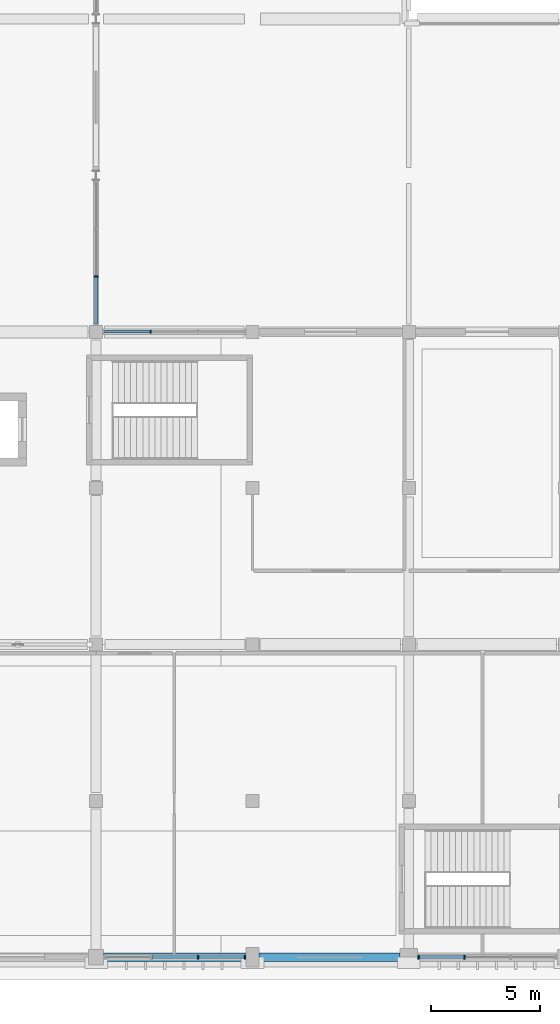
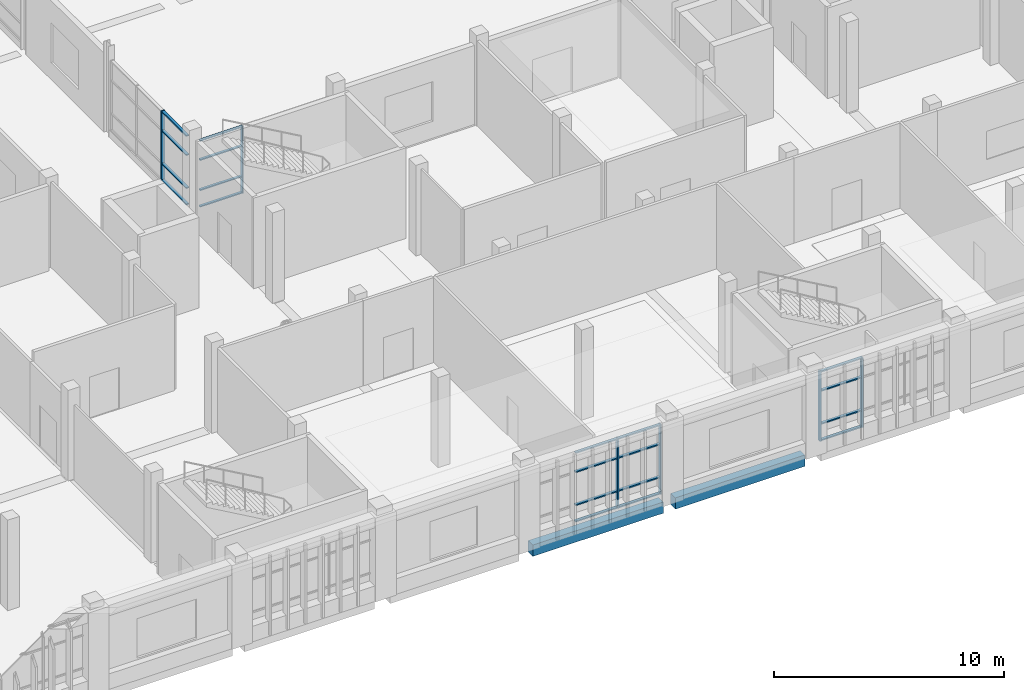
# One storey, part 19 of 82: 26 members, 2 beams, 4 elements without a shape of their own.
"""IFC4 building model written with IfcOpenShell, lengths in metres."""

import ifcopenshell
import ifcopenshell.guid

model = None  # the IFC model being written
_history = None  # IfcOwnerHistory: only IFC2X3 demands one
_inside = {}  # id of a spatial element -> (the spatial element, [elements in it])
_under = {}  # id of a project, library or spatial element -> (it, [spatial elements below it])
_declared = {}  # id of a project -> (the project, [libraries it declares])
_typed = {}  # id of a type object -> (the type object, [elements of that type])
_made_of = {}  # id of a material, layer set ... -> (it, [elements and type objects made of it])


def new_model(schema):
    """Start an empty IFC model of exactly this schema.

    Asked for "IFC4X3", IfcOpenShell would pick the latest addendum, in which some entities
    have other attributes; the version numbers below select the first issue.
    IFC2X3 requires an IfcOwnerHistory on every rooted entity: one is made here for all.
    """
    global model, _history
    if schema == "IFC4X3":
        model = ifcopenshell.file(schema_version=(4, 3, 0, 0))
    else:
        model = ifcopenshell.file(schema=schema)
    _inside.clear()
    _under.clear()
    _declared.clear()
    _typed.clear()
    _made_of.clear()
    _history = None
    if model.schema == "IFC2X3":
        org = make("IfcOrganization", Name="unknown")
        user = make(
            "IfcPersonAndOrganization",
            ThePerson=make("IfcPerson", FamilyName="unknown"),
            TheOrganization=org,
        )
        app = make(
            "IfcApplication",
            ApplicationDeveloper=org,
            Version="unknown",
            ApplicationFullName="unknown",
            ApplicationIdentifier="unknown",
        )
        _history = make(
            "IfcOwnerHistory",
            OwningUser=user,
            OwningApplication=app,
            ChangeAction="ADDED",
            CreationDate=0,
        )
    return model


def make(cls, **values):
    """One entity of the class cls with the attributes given. An attribute that is None is left unset."""
    return model.create_entity(
        cls, **{name: value for name, value in values.items() if value is not None}
    )


def rooted(cls, **values):
    """An entity with a GlobalId (a new one), such as an element, a storey or a relation."""
    return make(cls, GlobalId=ifcopenshell.guid.new(), OwnerHistory=_history, **values)


def si_unit(unit_type, name, prefix=None):
    """IfcSIUnit, for example si_unit("LENGTHUNIT", "METRE", prefix="MILLI")."""
    return make("IfcSIUnit", UnitType=unit_type, Prefix=prefix, Name=name)


def assignment(units):
    """IfcUnitAssignment: the units of a project."""
    return None if units is None else make("IfcUnitAssignment", Units=units)


def point(xyz):
    """IfcCartesianPoint."""
    return None if xyz is None else make("IfcCartesianPoint", Coordinates=xyz)


def direction(xyz):
    """IfcDirection."""
    return None if xyz is None else make("IfcDirection", DirectionRatios=xyz)


def frame(location, z_axis=None, x_axis=None):
    """IfcAxis2Placement3D, a coordinate frame: its origin and axes. An axis left out is left unset."""
    return make(
        "IfcAxis2Placement3D",
        Location=point(location),
        Axis=direction(z_axis),
        RefDirection=direction(x_axis),
    )


def frame_2d(location, x_axis=None):
    """IfcAxis2Placement2D, a coordinate frame in the plane: its origin and x axis."""
    return make(
        "IfcAxis2Placement2D", Location=point(location), RefDirection=direction(x_axis)
    )


def origin():
    """The frame at (0, 0, 0) with its axes left unset."""
    return frame((0.0, 0.0, 0.0))


def origin_2d():
    """The frame at (0, 0) in the plane with its x axis left unset."""
    return frame_2d((0.0, 0.0))


def place(relative_to, where):
    """IfcLocalPlacement: puts the frame where relative to a parent placement (None: the world)."""
    return make(
        "IfcLocalPlacement", PlacementRelTo=relative_to, RelativePlacement=where
    )


def context(
    kind, dimensions, precision=None, world=None, true_north=None, identifier=None
):
    """IfcGeometricRepresentationContext, for example the 3D "Model" context."""
    return make(
        "IfcGeometricRepresentationContext",
        ContextIdentifier=identifier,
        ContextType=kind,
        CoordinateSpaceDimension=dimensions,
        Precision=precision,
        WorldCoordinateSystem=world,
        TrueNorth=true_north,
    )


def subcontext(parent, identifier, kind, view, scale=None):
    """IfcGeometricRepresentationSubContext, for example "Body" below "Model"."""
    return make(
        "IfcGeometricRepresentationSubContext",
        ContextIdentifier=identifier,
        ContextType=kind,
        ParentContext=parent,
        TargetScale=scale,
        TargetView=view,
    )


def project(units=None, contexts=None):
    """IfcProject with its units and contexts."""
    return rooted(
        "IfcProject",
        Name="project",
        RepresentationContexts=contexts,
        UnitsInContext=assignment(units),
    )


def spatial(cls, under=None, at=None, **own):
    """A site, building, storey or space (cls), placed at a placement, below another one or the project."""
    s = rooted(cls, ObjectPlacement=at, **own)
    if under is not None:
        _under.setdefault(under.id(), (under, []))[1].append(s)
    return s


def profile(cls, at=None, kind="AREA", **sizes):
    """A parametric profile (cls). Its sizes go by their IFC names, for example OverallWidth=200.0."""
    return make(cls, ProfileType=kind, Position=at, **sizes)


def rectangle(**sizes):
    """IfcRectangleProfileDef."""
    return profile("IfcRectangleProfileDef", **sizes)


def extrude(swept, where, along, depth):
    """IfcExtrudedAreaSolid: the profile swept, set in the frame where, extruded along a direction by depth."""
    return make(
        "IfcExtrudedAreaSolid",
        SweptArea=swept,
        Position=where,
        ExtrudedDirection=direction(along),
        Depth=depth,
    )


def shape(context_of_items, identifier, shape_type, items):
    """IfcShapeRepresentation: the items that make up one representation, for example the "Body"."""
    return make(
        "IfcShapeRepresentation",
        ContextOfItems=context_of_items,
        RepresentationIdentifier=identifier,
        RepresentationType=shape_type,
        Items=items,
    )


def material(Name=None, Category=None):
    """IfcMaterial."""
    return make("IfcMaterial", Name=Name, Category=Category)


def material_profile(
    of_material, cross_section, Name=None, Category=None, Priority=None
):
    """IfcMaterialProfile: a cross section and its material."""
    return make(
        "IfcMaterialProfile",
        Name=Name,
        Material=of_material,
        Profile=cross_section,
        Priority=Priority,
        Category=Category,
    )


def profile_set(profiles, Name=None, composite=None):
    """IfcMaterialProfileSet."""
    return make(
        "IfcMaterialProfileSet",
        Name=Name,
        MaterialProfiles=profiles,
        CompositeProfile=composite,
    )


def made_of(thing, what):
    """Note that an element or type object is made of a material, layer set ...; save() writes the relation."""
    if what is not None:
        _made_of.setdefault(what.id(), (what, []))[1].append(thing)
    return thing


def type_object(cls, material=None, **own):
    """A type object (cls), such as IfcWallType, which elements share."""
    return made_of(rooted(cls, **own), material)


def element(
    cls,
    number,
    at=None,
    inside=None,
    cuts=None,
    type_object=None,
    material=None,
    context=None,
    identifier="Body",
    shape_type=None,
    held_by="IfcProductDefinitionShape",
    body=None,
    shapes=None,
    **own,
):
    """One element of the class cls, such as IfcWall. Its Tag is "e" and its number.

    at: its placement. inside: the storey or other place that contains it. cuts: it is an
    opening in that element (IfcRelVoidsElement). A single representation is given by context,
    identifier, shape_type and body (its items); several are given by shapes. held_by: the class
    of the entity that holds the representations. save() writes the other relations.
    """
    e = rooted(cls, Tag="e%d" % number, ObjectPlacement=at, **own)
    if body is not None:
        shapes = [shape(context, identifier, shape_type, body)]
    if shapes is not None:
        e.Representation = make(held_by, Representations=shapes)
    if inside is not None:
        _inside.setdefault(inside.id(), (inside, []))[1].append(e)
    if cuts is not None:
        rooted(
            "IfcRelVoidsElement", RelatingBuildingElement=cuts, RelatedOpeningElement=e
        )
    if type_object is not None:
        _typed.setdefault(type_object.id(), (type_object, []))[1].append(e)
    return made_of(e, material)


def aggregate(whole, parts):
    """IfcRelAggregates: a whole, such as a stair, and the parts it consists of."""
    return rooted("IfcRelAggregates", RelatingObject=whole, RelatedObjects=parts)


def save(model, path):
    """Write the relations noted so far, then the file.

    IfcRelAggregates (storeys below a building ...), IfcRelContainedInSpatialStructure (elements
    in a storey), IfcRelDefinesByType, IfcRelAssociatesMaterial and IfcRelDeclares: one each for
    every whole, place, type object, material and project.
    """
    for whole, parts in _under.values():
        aggregate(whole, parts)
    for where, things in _inside.values():
        rooted(
            "IfcRelContainedInSpatialStructure",
            RelatedElements=things,
            RelatingStructure=where,
        )
    for kind, things in _typed.values():
        rooted("IfcRelDefinesByType", RelatedObjects=things, RelatingType=kind)
    for what, things in _made_of.values():
        rooted("IfcRelAssociatesMaterial", RelatedObjects=things, RelatingMaterial=what)
    for by, libraries in _declared.values():
        rooted("IfcRelDeclares", RelatingContext=by, RelatedDefinitions=libraries)
    model.write(path)


model = new_model("IFC4")

# Units and contexts
model_context = context("Model", 3, precision=1e-05, world=origin(), true_north=direction((0.0, 1.0)))
body_context = subcontext(model_context, "Body", "Model", "MODEL_VIEW")
ifc_project = project(units=[si_unit("LENGTHUNIT", "METRE"), si_unit("AREAUNIT", "SQUARE_METRE"), si_unit("VOLUMEUNIT", "CUBIC_METRE"), si_unit("PLANEANGLEUNIT", "RADIAN"), si_unit("MASSUNIT", "GRAM", prefix="KILO")], contexts=[model_context])

# Site, building, storey
site_placement = place(None, origin())
site = spatial("IfcSite", under=ifc_project, at=site_placement, CompositionType="ELEMENT")
building_placement = place(site_placement, origin())
building = spatial("IfcBuilding", under=site, at=building_placement, Name="Sardonyx Promenade Sports Hall", CompositionType="ELEMENT")
storey_placement = place(building_placement, frame((0.0, 0.0, 11.199951171875)))
storey = spatial("IfcBuildingStorey", under=building, at=storey_placement, Name="L02", CompositionType="ELEMENT", Elevation=11.199951171875)

# Beams
ifc_material_1 = material(Name="Concrete C40/50", Category="concrete")
ifc_material_profile_1 = material_profile(ifc_material_1, rectangle(XDim=0.39990234375, YDim=0.60009765625, at=origin_2d()))
ifc_profile_set_1 = profile_set([ifc_material_profile_1], Name="Concrete C40/50")
beam_type = type_object("IfcBeamType", Name="Bm_Spandrel_RC600", PredefinedType="SPANDREL", material=ifc_profile_set_1)
beam_1_placement = place(storey_placement, frame((29.14990234375, 0.0, -0.300048828125), z_axis=(1.0, 0.0, 0.0), x_axis=(0.0, 1.0, 0.0)))
element("IfcBeam", 1, at=beam_1_placement, inside=storey, type_object=beam_type, Name="Beam SPB1 L02 #451", PredefinedType="SPANDREL", context=body_context, shape_type="SweptSolid", body=[
    extrude(rectangle(XDim=0.39990234375, YDim=0.60009765625, at=origin_2d()), origin(), (0.0, 0.0, 1.0), 6.550048828125),
])
beam_2_placement = place(storey_placement, frame((36.300048828125, 0.0, -0.300048828125), z_axis=(1.0, 0.0, 0.0), x_axis=(0.0, 1.0, 0.0)))
element("IfcBeam", 2, at=beam_2_placement, inside=storey, type_object=beam_type, Name="Beam SPB1 L02 #452", PredefinedType="SPANDREL", context=body_context, shape_type="SweptSolid", body=[
    extrude(rectangle(XDim=0.39990234375, YDim=0.60009765625, at=origin_2d()), origin(), (0.0, 0.0, 1.0), 6.5),
])

# Curtain wall, member
ifc_material_2 = material(Name="Aluminium 6063-T6", Category="aluminium")
curtain_wall_type_1 = type_object("IfcCurtainWallType", Name="CW_EastWing_L02", PredefinedType="USERDEFINED", material=ifc_material_2)
curtain_wall_1_placement = place(storey_placement, origin())
curtain_wall_1 = element("IfcCurtainWall", 3, at=curtain_wall_1_placement, inside=storey, type_object=curtain_wall_type_1, Name="Curtain wall CW09 cw:L02:158", ObjectType="CURTAIN WALL", PredefinedType="USERDEFINED")
ifc_material_3 = material(Name="Aluminium 6063-T6", Category="aluminium")
ifc_material_profile_2 = material_profile(ifc_material_3, rectangle(XDim=0.06005859375, YDim=0.14990234375, at=origin_2d()))
ifc_profile_set_2 = profile_set([ifc_material_profile_2], Name="Aluminium 6063-T6")
member_type_1 = type_object("IfcMemberType", Name="CW_Mull_150", PredefinedType="MULLION", material=ifc_profile_set_2)
member_1_placement = place(storey_placement, frame((31.316650390625, 28.800048828125, 0.35009765625), z_axis=(0.0, 0.0, 1.0), x_axis=(1.0, 0.0, 0.0)))
member_1 = element("IfcMember", 4, at=member_1_placement, type_object=member_type_1, Name="Mullion CM01 cw:L02:158 #2", PredefinedType="MULLION", context=body_context, shape_type="SweptSolid", body=[
    extrude(rectangle(XDim=0.06005859375, YDim=0.14990234375, at=origin_2d()), origin(), (0.0, 0.0, 1.0), 3.550048828125),
])

# Curtain wall, members
ifc_material_4 = material(Name="Aluminium 6063-T6", Category="aluminium")
curtain_wall_type_2 = type_object("IfcCurtainWallType", Name="CW_South_L02_640", PredefinedType="USERDEFINED", material=ifc_material_4)
curtain_wall_2_placement = place(storey_placement, origin())
curtain_wall_2 = element("IfcCurtainWall", 5, at=curtain_wall_2_placement, inside=storey, type_object=curtain_wall_type_2, Name="Curtain wall CW01 cw:L02:037", ObjectType="CURTAIN WALL", PredefinedType="USERDEFINED")
ifc_material_5 = material(Name="Aluminium 6063-T6", Category="aluminium")
ifc_material_profile_3 = material_profile(ifc_material_5, rectangle(XDim=0.06494140625, YDim=0.175048828125, at=origin_2d()))
ifc_profile_set_3 = profile_set([ifc_material_profile_3], Name="Aluminium 6063-T6")
member_type_2 = type_object("IfcMemberType", Name="CW_Mull_175", PredefinedType="MULLION", material=ifc_profile_set_3)
member_2_placement = place(storey_placement, frame((45.767578125, 0.0, 0.35009765625), z_axis=(0.0, 0.0, 1.0), x_axis=(-1.0, 0.0, 0.0)))
member_2 = element("IfcMember", 6, at=member_2_placement, type_object=member_type_2, Name="Mullion CM02 cw:L02:037 #3", PredefinedType="MULLION", context=body_context, shape_type="SweptSolid", body=[
    extrude(rectangle(XDim=0.06494140625, YDim=0.175048828125, at=origin_2d()), origin(), (0.0, 0.0, 1.0), 3.699951171875),
])
member_3_placement = place(storey_placement, frame((43.652587890625, 0.0, 0.35009765625), z_axis=(0.0, 0.0, 1.0), x_axis=(-1.0, 0.0, 0.0)))
member_3 = element("IfcMember", 7, at=member_3_placement, type_object=member_type_2, Name="Mullion CM02 cw:L02:037 #4", PredefinedType="MULLION", context=body_context, shape_type="SweptSolid", body=[
    extrude(rectangle(XDim=0.06494140625, YDim=0.175048828125, at=origin_2d()), origin(), (0.0, 0.0, 1.0), 3.699951171875),
])

curtain_wall_3_placement = place(storey_placement, origin())
curtain_wall_3 = element("IfcCurtainWall", 8, at=curtain_wall_3_placement, inside=storey, type_object=curtain_wall_type_2, Name="Curtain wall CW01 cw:L02:038", ObjectType="CURTAIN WALL", PredefinedType="USERDEFINED")
member_4_placement = place(storey_placement, frame((35.6474609375, 0.0, 0.35009765625), z_axis=(0.0, 0.0, 1.0), x_axis=(-1.0, 0.0, 0.0)))
member_4 = element("IfcMember", 9, at=member_4_placement, type_object=member_type_2, Name="Mullion CM02 cw:L02:038 #1", PredefinedType="MULLION", context=body_context, shape_type="SweptSolid", body=[
    extrude(rectangle(XDim=0.06494140625, YDim=0.175048828125, at=origin_2d()), origin(), (0.0, 0.0, 1.0), 3.699951171875),
])
member_5_placement = place(storey_placement, frame((33.499267578125, 0.0, 0.35009765625), z_axis=(0.0, 0.0, 1.0), x_axis=(-1.0, 0.0, 0.0)))
member_5 = element("IfcMember", 10, at=member_5_placement, type_object=member_type_2, Name="Mullion CM02 cw:L02:038 #2", PredefinedType="MULLION", context=body_context, shape_type="SweptSolid", body=[
    extrude(rectangle(XDim=0.06494140625, YDim=0.175048828125, at=origin_2d()), origin(), (0.0, 0.0, 1.0), 3.699951171875),
])

# Curtain wall, member
curtain_wall_4_placement = place(storey_placement, origin())
curtain_wall_4 = element("IfcCurtainWall", 11, at=curtain_wall_4_placement, inside=storey, type_object=curtain_wall_type_2, Name="Curtain wall CW01 cw:L02:154", ObjectType="CURTAIN WALL", PredefinedType="USERDEFINED")
member_6_placement = place(storey_placement, frame((28.800048828125, 31.34423828125, 0.35009765625), z_axis=(0.0, 0.0, 1.0), x_axis=(0.0, -1.0, 0.0)))
member_6 = element("IfcMember", 12, at=member_6_placement, type_object=member_type_2, Name="Mullion CM02 cw:L02:154 #3", PredefinedType="MULLION", context=body_context, shape_type="SweptSolid", body=[
    extrude(rectangle(XDim=0.06494140625, YDim=0.175048828125, at=origin_2d()), origin(), (0.0, 0.0, 1.0), 3.699951171875),
])

# Member
ifc_material_6 = material(Name="Aluminium 6063-T6", Category="aluminium")
ifc_material_profile_4 = material_profile(ifc_material_6, rectangle(XDim=0.06005859375, YDim=0.1201171875, at=origin_2d()))
ifc_profile_set_4 = profile_set([ifc_material_profile_4], Name="Aluminium 6063-T6")
member_type_3 = type_object("IfcMemberType", Name="CW_Tran_120", PredefinedType="USERDEFINED", material=ifc_profile_set_4)
member_7_placement = place(storey_placement, frame((29.179931640625, 28.800048828125, 0.380126953125), z_axis=(1.0, 0.0, 0.0), x_axis=(0.0, 0.0, 1.0)))
member_7 = element("IfcMember", 13, at=member_7_placement, type_object=member_type_3, Name="Transom CT01 cw:L02:158 #1", ObjectType="TRANSOM", PredefinedType="USERDEFINED", context=body_context, shape_type="SweptSolid", body=[
    extrude(rectangle(XDim=0.06005859375, YDim=0.1201171875, at=origin_2d()), origin(), (0.0, 0.0, 1.0), 2.106689453125),
])

member_8_placement = place(storey_placement, frame((29.179931640625, 28.800048828125, 1.25), z_axis=(1.0, 0.0, 0.0), x_axis=(0.0, 0.0, 1.0)))
member_8 = element("IfcMember", 14, at=member_8_placement, type_object=member_type_3, Name="Transom CT01 cw:L02:158 #2", ObjectType="TRANSOM", PredefinedType="USERDEFINED", context=body_context, shape_type="SweptSolid", body=[
    extrude(rectangle(XDim=0.06005859375, YDim=0.1201171875, at=origin_2d()), origin(), (0.0, 0.0, 1.0), 2.106689453125),
])

member_9_placement = place(storey_placement, frame((29.179931640625, 28.800048828125, 2.85009765625), z_axis=(1.0, 0.0, 0.0), x_axis=(0.0, 0.0, 1.0)))
member_9 = element("IfcMember", 15, at=member_9_placement, type_object=member_type_3, Name="Transom CT01 cw:L02:158 #3", ObjectType="TRANSOM", PredefinedType="USERDEFINED", context=body_context, shape_type="SweptSolid", body=[
    extrude(rectangle(XDim=0.06005859375, YDim=0.1201171875, at=origin_2d()), origin(), (0.0, 0.0, 1.0), 2.106689453125),
])

member_10_placement = place(storey_placement, frame((29.179931640625, 28.800048828125, 3.8701171875), z_axis=(1.0, 0.0, 0.0), x_axis=(0.0, 0.0, 1.0)))
member_10 = element("IfcMember", 16, at=member_10_placement, type_object=member_type_3, Name="Transom CT01 cw:L02:158 #4", ObjectType="TRANSOM", PredefinedType="USERDEFINED", context=body_context, shape_type="SweptSolid", body=[
    extrude(rectangle(XDim=0.06005859375, YDim=0.1201171875, at=origin_2d()), origin(), (0.0, 0.0, 1.0), 2.106689453125),
])

aggregate(curtain_wall_1, [member_1, member_7, member_8, member_9, member_10])

ifc_material_7 = material(Name="Aluminium 6063-T6", Category="aluminium")
ifc_material_profile_5 = material_profile(ifc_material_7, rectangle(XDim=0.06494140625, YDim=0.139892578125, at=origin_2d()))
ifc_profile_set_5 = profile_set([ifc_material_profile_5], Name="Aluminium 6063-T6")
member_type_4 = type_object("IfcMemberType", Name="CW_Tran_140", PredefinedType="USERDEFINED", material=ifc_profile_set_5)
member_11_placement = place(storey_placement, frame((45.735107421875, 0.0, 0.382568359375), z_axis=(-1.0, 0.0, 0.0), x_axis=(0.0, 0.0, 1.0)))
member_11 = element("IfcMember", 17, at=member_11_placement, type_object=member_type_4, Name="Transom CT02 cw:L02:037 #9", ObjectType="TRANSOM", PredefinedType="USERDEFINED", context=body_context, shape_type="SweptSolid", body=[
    extrude(rectangle(XDim=0.06494140625, YDim=0.139892578125, at=origin_2d()), origin(), (0.0, 0.0, 1.0), 2.050048828125),
])

member_12_placement = place(storey_placement, frame((45.735107421875, 0.0, 1.25), z_axis=(-1.0, 0.0, 0.0), x_axis=(0.0, 0.0, 1.0)))
member_12 = element("IfcMember", 18, at=member_12_placement, type_object=member_type_4, Name="Transom CT02 cw:L02:037 #10", ObjectType="TRANSOM", PredefinedType="USERDEFINED", context=body_context, shape_type="SweptSolid", body=[
    extrude(rectangle(XDim=0.06494140625, YDim=0.139892578125, at=origin_2d()), origin(), (0.0, 0.0, 1.0), 2.050048828125),
])

member_13_placement = place(storey_placement, frame((45.735107421875, 0.0, 3.0), z_axis=(-1.0, 0.0, 0.0), x_axis=(0.0, 0.0, 1.0)))
member_13 = element("IfcMember", 19, at=member_13_placement, type_object=member_type_4, Name="Transom CT02 cw:L02:037 #11", ObjectType="TRANSOM", PredefinedType="USERDEFINED", context=body_context, shape_type="SweptSolid", body=[
    extrude(rectangle(XDim=0.06494140625, YDim=0.139892578125, at=origin_2d()), origin(), (0.0, 0.0, 1.0), 2.050048828125),
])

member_14_placement = place(storey_placement, frame((45.735107421875, 0.0, 4.017578125), z_axis=(-1.0, 0.0, 0.0), x_axis=(0.0, 0.0, 1.0)))
member_14 = element("IfcMember", 20, at=member_14_placement, type_object=member_type_4, Name="Transom CT02 cw:L02:037 #12", ObjectType="TRANSOM", PredefinedType="USERDEFINED", context=body_context, shape_type="SweptSolid", body=[
    extrude(rectangle(XDim=0.06494140625, YDim=0.139892578125, at=origin_2d()), origin(), (0.0, 0.0, 1.0), 2.050048828125),
])

aggregate(curtain_wall_2, [member_2, member_3, member_11, member_12, member_13, member_14])

member_15_placement = place(storey_placement, frame((35.614990234375, 0.0, 0.382568359375), z_axis=(-1.0, 0.0, 0.0), x_axis=(0.0, 0.0, 1.0)))
member_15 = element("IfcMember", 21, at=member_15_placement, type_object=member_type_4, Name="Transom CT02 cw:L02:038 #1", ObjectType="TRANSOM", PredefinedType="USERDEFINED", context=body_context, shape_type="SweptSolid", body=[
    extrude(rectangle(XDim=0.06494140625, YDim=0.139892578125, at=origin_2d()), origin(), (0.0, 0.0, 1.0), 2.083251953125),
])

member_16_placement = place(storey_placement, frame((35.614990234375, 0.0, 1.25), z_axis=(-1.0, 0.0, 0.0), x_axis=(0.0, 0.0, 1.0)))
member_16 = element("IfcMember", 22, at=member_16_placement, type_object=member_type_4, Name="Transom CT02 cw:L02:038 #2", ObjectType="TRANSOM", PredefinedType="USERDEFINED", context=body_context, shape_type="SweptSolid", body=[
    extrude(rectangle(XDim=0.06494140625, YDim=0.139892578125, at=origin_2d()), origin(), (0.0, 0.0, 1.0), 2.083251953125),
])

member_17_placement = place(storey_placement, frame((35.614990234375, 0.0, 3.0), z_axis=(-1.0, 0.0, 0.0), x_axis=(0.0, 0.0, 1.0)))
member_17 = element("IfcMember", 23, at=member_17_placement, type_object=member_type_4, Name="Transom CT02 cw:L02:038 #3", ObjectType="TRANSOM", PredefinedType="USERDEFINED", context=body_context, shape_type="SweptSolid", body=[
    extrude(rectangle(XDim=0.06494140625, YDim=0.139892578125, at=origin_2d()), origin(), (0.0, 0.0, 1.0), 2.083251953125),
])

member_18_placement = place(storey_placement, frame((35.614990234375, 0.0, 4.017578125), z_axis=(-1.0, 0.0, 0.0), x_axis=(0.0, 0.0, 1.0)))
member_18 = element("IfcMember", 24, at=member_18_placement, type_object=member_type_4, Name="Transom CT02 cw:L02:038 #4", ObjectType="TRANSOM", PredefinedType="USERDEFINED", context=body_context, shape_type="SweptSolid", body=[
    extrude(rectangle(XDim=0.06494140625, YDim=0.139892578125, at=origin_2d()), origin(), (0.0, 0.0, 1.0), 2.083251953125),
])

member_19_placement = place(storey_placement, frame((33.466552734375, 0.0, 0.382568359375), z_axis=(-1.0, 0.0, 0.0), x_axis=(0.0, 0.0, 1.0)))
member_19 = element("IfcMember", 25, at=member_19_placement, type_object=member_type_4, Name="Transom CT02 cw:L02:038 #5", ObjectType="TRANSOM", PredefinedType="USERDEFINED", context=body_context, shape_type="SweptSolid", body=[
    extrude(rectangle(XDim=0.06494140625, YDim=0.139892578125, at=origin_2d()), origin(), (0.0, 0.0, 1.0), 2.083251953125),
])

member_20_placement = place(storey_placement, frame((33.466552734375, 0.0, 1.25), z_axis=(-1.0, 0.0, 0.0), x_axis=(0.0, 0.0, 1.0)))
member_20 = element("IfcMember", 26, at=member_20_placement, type_object=member_type_4, Name="Transom CT02 cw:L02:038 #6", ObjectType="TRANSOM", PredefinedType="USERDEFINED", context=body_context, shape_type="SweptSolid", body=[
    extrude(rectangle(XDim=0.06494140625, YDim=0.139892578125, at=origin_2d()), origin(), (0.0, 0.0, 1.0), 2.083251953125),
])

member_21_placement = place(storey_placement, frame((33.466552734375, 0.0, 3.0), z_axis=(-1.0, 0.0, 0.0), x_axis=(0.0, 0.0, 1.0)))
member_21 = element("IfcMember", 27, at=member_21_placement, type_object=member_type_4, Name="Transom CT02 cw:L02:038 #7", ObjectType="TRANSOM", PredefinedType="USERDEFINED", context=body_context, shape_type="SweptSolid", body=[
    extrude(rectangle(XDim=0.06494140625, YDim=0.139892578125, at=origin_2d()), origin(), (0.0, 0.0, 1.0), 2.083251953125),
])

member_22_placement = place(storey_placement, frame((33.466552734375, 0.0, 4.017578125), z_axis=(-1.0, 0.0, 0.0), x_axis=(0.0, 0.0, 1.0)))
member_22 = element("IfcMember", 28, at=member_22_placement, type_object=member_type_4, Name="Transom CT02 cw:L02:038 #8", ObjectType="TRANSOM", PredefinedType="USERDEFINED", context=body_context, shape_type="SweptSolid", body=[
    extrude(rectangle(XDim=0.06494140625, YDim=0.139892578125, at=origin_2d()), origin(), (0.0, 0.0, 1.0), 2.083251953125),
])

aggregate(curtain_wall_3, [member_4, member_5, member_15, member_16, member_17, member_18, member_19, member_20, member_21, member_22])

member_23_placement = place(storey_placement, frame((28.800048828125, 31.311767578125, 0.382568359375), z_axis=(0.0, -1.0, 0.0), x_axis=(0.0, 0.0, 1.0)))
member_23 = element("IfcMember", 29, at=member_23_placement, type_object=member_type_4, Name="Transom CT02 cw:L02:154 #9", ObjectType="TRANSOM", PredefinedType="USERDEFINED", context=body_context, shape_type="SweptSolid", body=[
    extrude(rectangle(XDim=0.06494140625, YDim=0.139892578125, at=origin_2d()), origin(), (0.0, 0.0, 1.0), 2.126708984375),
])

member_24_placement = place(storey_placement, frame((28.800048828125, 31.311767578125, 1.25), z_axis=(0.0, -1.0, 0.0), x_axis=(0.0, 0.0, 1.0)))
member_24 = element("IfcMember", 30, at=member_24_placement, type_object=member_type_4, Name="Transom CT02 cw:L02:154 #10", ObjectType="TRANSOM", PredefinedType="USERDEFINED", context=body_context, shape_type="SweptSolid", body=[
    extrude(rectangle(XDim=0.06494140625, YDim=0.139892578125, at=origin_2d()), origin(), (0.0, 0.0, 1.0), 2.126708984375),
])

member_25_placement = place(storey_placement, frame((28.800048828125, 31.311767578125, 3.0), z_axis=(0.0, -1.0, 0.0), x_axis=(0.0, 0.0, 1.0)))
member_25 = element("IfcMember", 31, at=member_25_placement, type_object=member_type_4, Name="Transom CT02 cw:L02:154 #11", ObjectType="TRANSOM", PredefinedType="USERDEFINED", context=body_context, shape_type="SweptSolid", body=[
    extrude(rectangle(XDim=0.06494140625, YDim=0.139892578125, at=origin_2d()), origin(), (0.0, 0.0, 1.0), 2.126708984375),
])

member_26_placement = place(storey_placement, frame((28.800048828125, 31.311767578125, 4.017578125), z_axis=(0.0, -1.0, 0.0), x_axis=(0.0, 0.0, 1.0)))
member_26 = element("IfcMember", 32, at=member_26_placement, type_object=member_type_4, Name="Transom CT02 cw:L02:154 #12", ObjectType="TRANSOM", PredefinedType="USERDEFINED", context=body_context, shape_type="SweptSolid", body=[
    extrude(rectangle(XDim=0.06494140625, YDim=0.139892578125, at=origin_2d()), origin(), (0.0, 0.0, 1.0), 2.126708984375),
])

aggregate(curtain_wall_4, [member_6, member_23, member_24, member_25, member_26])

save(model, "model.ifc")
